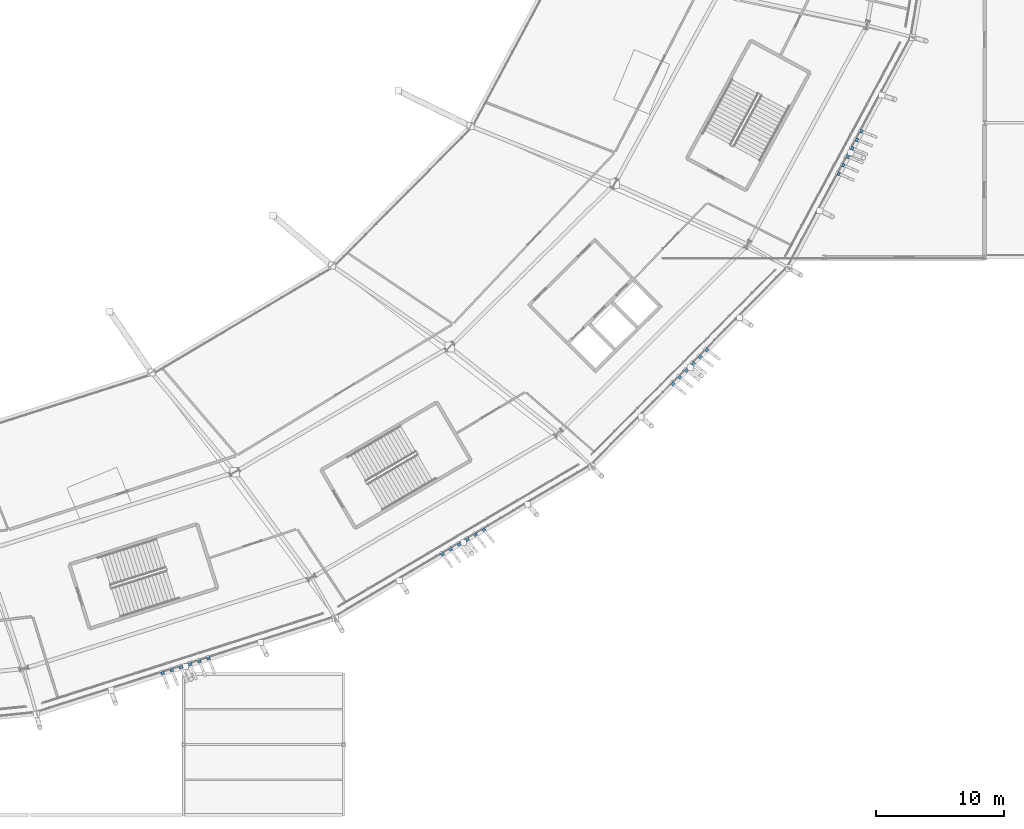
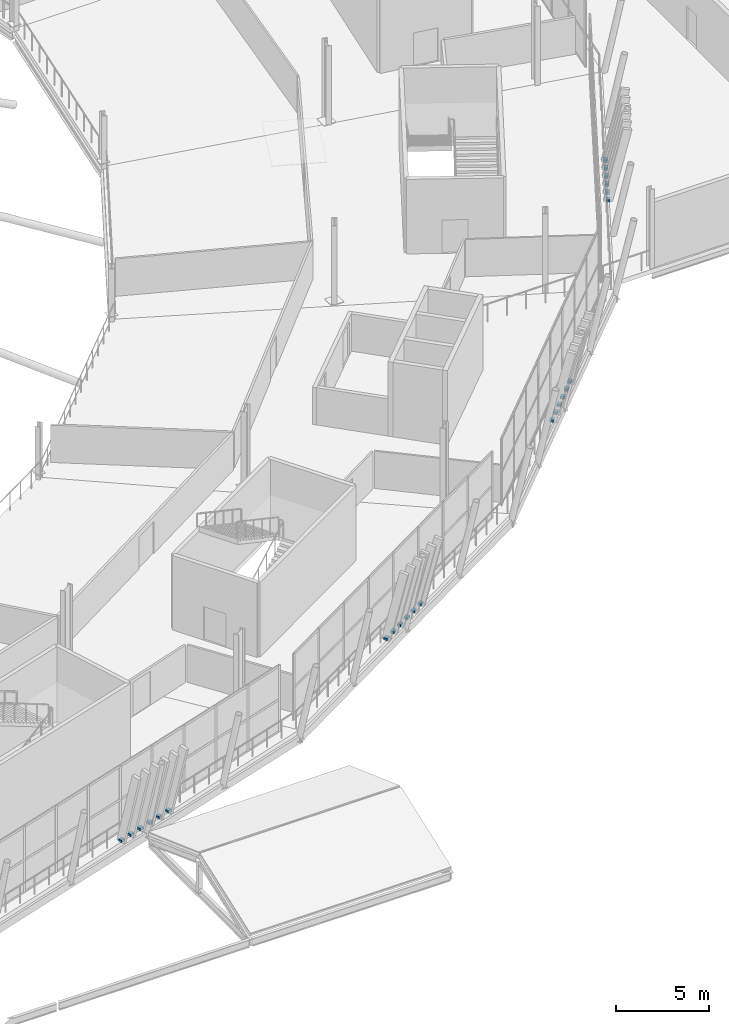
# One storey, part 135 of 168: 24 discrete accessories.
"""IFC4 building model written with IfcOpenShell, lengths in metres."""

import ifcopenshell
import ifcopenshell.guid

model = None  # the IFC model being written
_history = None  # IfcOwnerHistory: only IFC2X3 demands one
_inside = {}  # id of a spatial element -> (the spatial element, [elements in it])
_under = {}  # id of a project, library or spatial element -> (it, [spatial elements below it])
_declared = {}  # id of a project -> (the project, [libraries it declares])
_typed = {}  # id of a type object -> (the type object, [elements of that type])
_made_of = {}  # id of a material, layer set ... -> (it, [elements and type objects made of it])


def new_model(schema):
    """Start an empty IFC model of exactly this schema.

    Asked for "IFC4X3", IfcOpenShell would pick the latest addendum, in which some entities
    have other attributes; the version numbers below select the first issue.
    IFC2X3 requires an IfcOwnerHistory on every rooted entity: one is made here for all.
    """
    global model, _history
    if schema == "IFC4X3":
        model = ifcopenshell.file(schema_version=(4, 3, 0, 0))
    else:
        model = ifcopenshell.file(schema=schema)
    _inside.clear()
    _under.clear()
    _declared.clear()
    _typed.clear()
    _made_of.clear()
    _history = None
    if model.schema == "IFC2X3":
        org = make("IfcOrganization", Name="unknown")
        user = make(
            "IfcPersonAndOrganization",
            ThePerson=make("IfcPerson", FamilyName="unknown"),
            TheOrganization=org,
        )
        app = make(
            "IfcApplication",
            ApplicationDeveloper=org,
            Version="unknown",
            ApplicationFullName="unknown",
            ApplicationIdentifier="unknown",
        )
        _history = make(
            "IfcOwnerHistory",
            OwningUser=user,
            OwningApplication=app,
            ChangeAction="ADDED",
            CreationDate=0,
        )
    return model


def make(cls, **values):
    """One entity of the class cls with the attributes given. An attribute that is None is left unset."""
    return model.create_entity(
        cls, **{name: value for name, value in values.items() if value is not None}
    )


def rooted(cls, **values):
    """An entity with a GlobalId (a new one), such as an element, a storey or a relation."""
    return make(cls, GlobalId=ifcopenshell.guid.new(), OwnerHistory=_history, **values)


def si_unit(unit_type, name, prefix=None):
    """IfcSIUnit, for example si_unit("LENGTHUNIT", "METRE", prefix="MILLI")."""
    return make("IfcSIUnit", UnitType=unit_type, Prefix=prefix, Name=name)


def assignment(units):
    """IfcUnitAssignment: the units of a project."""
    return None if units is None else make("IfcUnitAssignment", Units=units)


def point(xyz):
    """IfcCartesianPoint."""
    return None if xyz is None else make("IfcCartesianPoint", Coordinates=xyz)


def direction(xyz):
    """IfcDirection."""
    return None if xyz is None else make("IfcDirection", DirectionRatios=xyz)


def frame(location, z_axis=None, x_axis=None):
    """IfcAxis2Placement3D, a coordinate frame: its origin and axes. An axis left out is left unset."""
    return make(
        "IfcAxis2Placement3D",
        Location=point(location),
        Axis=direction(z_axis),
        RefDirection=direction(x_axis),
    )


def frame_2d(location, x_axis=None):
    """IfcAxis2Placement2D, a coordinate frame in the plane: its origin and x axis."""
    return make(
        "IfcAxis2Placement2D", Location=point(location), RefDirection=direction(x_axis)
    )


def origin():
    """The frame at (0, 0, 0) with its axes left unset."""
    return frame((0.0, 0.0, 0.0))


def origin_2d():
    """The frame at (0, 0) in the plane with its x axis left unset."""
    return frame_2d((0.0, 0.0))


def place(relative_to, where):
    """IfcLocalPlacement: puts the frame where relative to a parent placement (None: the world)."""
    return make(
        "IfcLocalPlacement", PlacementRelTo=relative_to, RelativePlacement=where
    )


def context(
    kind, dimensions, precision=None, world=None, true_north=None, identifier=None
):
    """IfcGeometricRepresentationContext, for example the 3D "Model" context."""
    return make(
        "IfcGeometricRepresentationContext",
        ContextIdentifier=identifier,
        ContextType=kind,
        CoordinateSpaceDimension=dimensions,
        Precision=precision,
        WorldCoordinateSystem=world,
        TrueNorth=true_north,
    )


def subcontext(parent, identifier, kind, view, scale=None):
    """IfcGeometricRepresentationSubContext, for example "Body" below "Model"."""
    return make(
        "IfcGeometricRepresentationSubContext",
        ContextIdentifier=identifier,
        ContextType=kind,
        ParentContext=parent,
        TargetScale=scale,
        TargetView=view,
    )


def project(units=None, contexts=None):
    """IfcProject with its units and contexts."""
    return rooted(
        "IfcProject",
        Name="project",
        RepresentationContexts=contexts,
        UnitsInContext=assignment(units),
    )


def spatial(cls, under=None, at=None, **own):
    """A site, building, storey or space (cls), placed at a placement, below another one or the project."""
    s = rooted(cls, ObjectPlacement=at, **own)
    if under is not None:
        _under.setdefault(under.id(), (under, []))[1].append(s)
    return s


def profile(cls, at=None, kind="AREA", **sizes):
    """A parametric profile (cls). Its sizes go by their IFC names, for example OverallWidth=200.0."""
    return make(cls, ProfileType=kind, Position=at, **sizes)


def rectangle(**sizes):
    """IfcRectangleProfileDef."""
    return profile("IfcRectangleProfileDef", **sizes)


def extrude(swept, where, along, depth):
    """IfcExtrudedAreaSolid: the profile swept, set in the frame where, extruded along a direction by depth."""
    return make(
        "IfcExtrudedAreaSolid",
        SweptArea=swept,
        Position=where,
        ExtrudedDirection=direction(along),
        Depth=depth,
    )


def shape(context_of_items, identifier, shape_type, items):
    """IfcShapeRepresentation: the items that make up one representation, for example the "Body"."""
    return make(
        "IfcShapeRepresentation",
        ContextOfItems=context_of_items,
        RepresentationIdentifier=identifier,
        RepresentationType=shape_type,
        Items=items,
    )


def material(Name=None, Category=None):
    """IfcMaterial."""
    return make("IfcMaterial", Name=Name, Category=Category)


def made_of(thing, what):
    """Note that an element or type object is made of a material, layer set ...; save() writes the relation."""
    if what is not None:
        _made_of.setdefault(what.id(), (what, []))[1].append(thing)
    return thing


def type_object(cls, material=None, **own):
    """A type object (cls), such as IfcWallType, which elements share."""
    return made_of(rooted(cls, **own), material)


def element(
    cls,
    number,
    at=None,
    inside=None,
    cuts=None,
    type_object=None,
    material=None,
    context=None,
    identifier="Body",
    shape_type=None,
    held_by="IfcProductDefinitionShape",
    body=None,
    shapes=None,
    **own,
):
    """One element of the class cls, such as IfcWall. Its Tag is "e" and its number.

    at: its placement. inside: the storey or other place that contains it. cuts: it is an
    opening in that element (IfcRelVoidsElement). A single representation is given by context,
    identifier, shape_type and body (its items); several are given by shapes. held_by: the class
    of the entity that holds the representations. save() writes the other relations.
    """
    e = rooted(cls, Tag="e%d" % number, ObjectPlacement=at, **own)
    if body is not None:
        shapes = [shape(context, identifier, shape_type, body)]
    if shapes is not None:
        e.Representation = make(held_by, Representations=shapes)
    if inside is not None:
        _inside.setdefault(inside.id(), (inside, []))[1].append(e)
    if cuts is not None:
        rooted(
            "IfcRelVoidsElement", RelatingBuildingElement=cuts, RelatedOpeningElement=e
        )
    if type_object is not None:
        _typed.setdefault(type_object.id(), (type_object, []))[1].append(e)
    return made_of(e, material)


def aggregate(whole, parts):
    """IfcRelAggregates: a whole, such as a stair, and the parts it consists of."""
    return rooted("IfcRelAggregates", RelatingObject=whole, RelatedObjects=parts)


def save(model, path):
    """Write the relations noted so far, then the file.

    IfcRelAggregates (storeys below a building ...), IfcRelContainedInSpatialStructure (elements
    in a storey), IfcRelDefinesByType, IfcRelAssociatesMaterial and IfcRelDeclares: one each for
    every whole, place, type object, material and project.
    """
    for whole, parts in _under.values():
        aggregate(whole, parts)
    for where, things in _inside.values():
        rooted(
            "IfcRelContainedInSpatialStructure",
            RelatedElements=things,
            RelatingStructure=where,
        )
    for kind, things in _typed.values():
        rooted("IfcRelDefinesByType", RelatedObjects=things, RelatingType=kind)
    for what, things in _made_of.values():
        rooted("IfcRelAssociatesMaterial", RelatedObjects=things, RelatingMaterial=what)
    for by, libraries in _declared.values():
        rooted("IfcRelDeclares", RelatingContext=by, RelatedDefinitions=libraries)
    model.write(path)


model = new_model("IFC4")

# Units and contexts
model_context = context("Model", 3, precision=1e-05, world=origin(), true_north=direction((0.0, 1.0)))
body_context = subcontext(model_context, "Body", "Model", "MODEL_VIEW")
ifc_project = project(units=[si_unit("LENGTHUNIT", "METRE"), si_unit("AREAUNIT", "SQUARE_METRE"), si_unit("VOLUMEUNIT", "CUBIC_METRE"), si_unit("PLANEANGLEUNIT", "RADIAN"), si_unit("MASSUNIT", "GRAM", prefix="KILO")], contexts=[model_context])

# Site, building, storey
site_placement = place(None, origin())
site = spatial("IfcSite", under=ifc_project, at=site_placement, CompositionType="ELEMENT")
building_placement = place(site_placement, origin())
building = spatial("IfcBuilding", under=site, at=building_placement, Name="Zlatoyarsky Gate Stadium", CompositionType="ELEMENT")
storey_placement = place(building_placement, frame((0.0, 0.0, 15.60009765625)))
storey = spatial("IfcBuildingStorey", under=building, at=storey_placement, Name="L03", CompositionType="ELEMENT", Elevation=15.60009765625)

# Discrete accessories
ifc_material = material(Name="Steel S355", Category="steel")
discrete_accessory_type = type_object("IfcDiscreteAccessoryType", Name="STEEL LOUVRE ANCHOR BRACKET 260X220X160", PredefinedType="BRACKET", material=ifc_material)
for number, where, z_axis, x_axis, name in (
    (1, (145.87353515625, 11.07666015625, -0.02001953125), (0.0, 0.0, 1.0), (0.95245128845, 0.304690897682, 0.0), "Louvre anchor bracket L03-19-1"),
    (2, (146.587890625, 11.30517578125, -0.02001953125), (0.0, 0.0, 1.0), (0.95245128845, 0.304690897682, 0.0), "Louvre anchor bracket L03-19-2"),
    (3, (147.30224609375, 11.53369140625, -0.02001953125), (0.0, 0.0, 1.0), (0.95245128845, 0.304690897682, 0.0), "Louvre anchor bracket L03-19-3"),
    (4, (148.0166015625, 11.76220703125, -0.02001953125), (0.0, 0.0, 1.0), (0.95245128845, 0.304690897682, 0.0), "Louvre anchor bracket L03-19-4"),
    (5, (148.73095703125, 11.99072265625, -0.02001953125), (0.0, 0.0, 1.0), (0.95245128845, 0.304690897682, 0.0), "Louvre anchor bracket L03-19-5"),
    (6, (149.4453125, 12.21923828125, -0.02001953125), (0.0, 0.0, 1.0), (0.95245128845, 0.304690897682, 0.0), "Louvre anchor bracket L03-19-6"),
    (7, (167.70361328125, 20.348876953125, -0.02001953125), (0.0, 0.0, 1.0), (0.860284550348, 0.509814174413, 0.0), "Louvre anchor bracket L03-20-1"),
    (8, (168.348876953125, 20.731201171875, -0.02001953125), (0.0, 0.0, 1.0), (0.860284550348, 0.509814174413, 0.0), "Louvre anchor bracket L03-20-2"),
    (9, (168.993896484375, 21.113525390625, -0.02001953125), (0.0, 0.0, 1.0), (0.860284550348, 0.509814174413, 0.0), "Louvre anchor bracket L03-20-3"),
    (10, (169.639404296875, 21.495849609375, -0.02001953125), (0.0, 0.0, 1.0), (0.860284550348, 0.509814174413, 0.0), "Louvre anchor bracket L03-20-4"),
    (11, (170.284423828125, 21.878173828125, -0.02001953125), (0.0, 0.0, 1.0), (0.860284550348, 0.509814174413, 0.0), "Louvre anchor bracket L03-20-5"),
    (12, (170.9296875, 22.260498046875, -0.02001953125), (0.0, 0.0, 1.0), (0.860284550348, 0.509814174413, 0.0), "Louvre anchor bracket L03-20-6"),
    (13, (185.67822265625, 33.63134765625, -0.02001953125), (0.0, 0.0, 1.0), (0.704814912605, 0.709391245343, 0.0), "Louvre anchor bracket L03-21-1"),
    (14, (186.206787109375, 34.163330078125, -0.02001953125), (0.0, 0.0, 1.0), (0.704814912605, 0.709391245343, 0.0), "Louvre anchor bracket L03-21-2"),
    (15, (186.7353515625, 34.695556640625, -0.02001953125), (0.0, 0.0, 1.0), (0.704814912605, 0.709391245343, 0.0), "Louvre anchor bracket L03-21-3"),
    (16, (187.26416015625, 35.2275390625, -0.02001953125), (0.0, 0.0, 1.0), (0.704814912605, 0.709391245343, 0.0), "Louvre anchor bracket L03-21-4"),
    (17, (187.792724609375, 35.759521484375, -0.02001953125), (0.0, 0.0, 1.0), (0.704814912605, 0.709391245343, 0.0), "Louvre anchor bracket L03-21-5"),
    (18, (188.3212890625, 36.29150390625, -0.02001953125), (0.0, 0.0, 1.0), (0.704814912605, 0.709391245343, 0.0), "Louvre anchor bracket L03-21-6"),
    (19, (198.617431640625, 50.035400390625, -0.02001953125), (0.0, 0.0, 1.0), (0.472642994374, 0.881253992825, 0.0), "Louvre anchor bracket L03-22-1"),
    (20, (198.971923828125, 50.6962890625, -0.02001953125), (0.0, 0.0, 1.0), (0.472642994374, 0.881253992825, 0.0), "Louvre anchor bracket L03-22-2"),
    (21, (199.326416015625, 51.357177734375, -0.02001953125), (0.0, 0.0, 1.0), (0.472642994374, 0.881253992825, 0.0), "Louvre anchor bracket L03-22-3"),
    (22, (199.680908203125, 52.01806640625, -0.02001953125), (0.0, 0.0, 1.0), (0.472642994374, 0.881253992825, 0.0), "Louvre anchor bracket L03-22-4"),
    (23, (200.035400390625, 52.67919921875, -0.02001953125), (0.0, 0.0, 1.0), (0.472642994374, 0.881253992825, 0.0), "Louvre anchor bracket L03-22-5"),
    (24, (200.389892578125, 53.340087890625, -0.02001953125), (0.0, 0.0, 1.0), (0.472642994374, 0.881253992825, 0.0), "Louvre anchor bracket L03-22-6"),
):
    element("IfcDiscreteAccessory", number, at=place(storey_placement, frame(where, z_axis=z_axis, x_axis=x_axis)), inside=storey, type_object=discrete_accessory_type, Name=name, PredefinedType="BRACKET", context=body_context, shape_type="SweptSolid", body=[
        extrude(rectangle(XDim=0.260009765625, YDim=0.219970703125, at=origin_2d()), origin(), (0.0, 0.0, 1.0), 0.159912109375),
    ])

save(model, "model.ifc")
